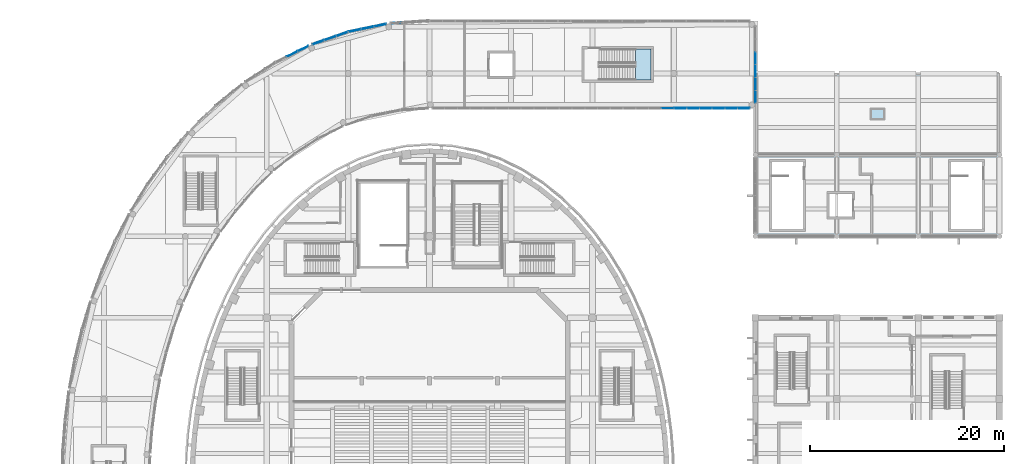
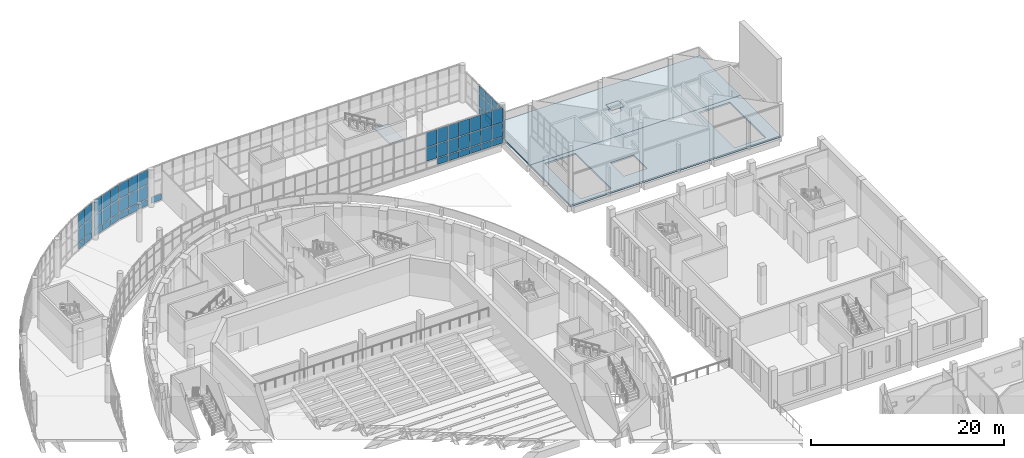
# One storey, part 54 of 119: 58 plates, 3 slabs, 1 opening, 8 elements without a shape of their own.
"""IFC4 building model written with IfcOpenShell, lengths in metres."""

from ifc_helpers import new_model, si_unit, direction, frame, origin, origin_2d, place, context, subcontext, project, spatial, polyline, rectangle, outline, extrude, material, layer, layer_set, type_object, element, fill, aggregate, save


model = new_model("IFC4")

# Units and contexts
model_context = context("Model", 3, precision=1e-05, world=origin(), true_north=direction((0.0, 1.0)))
body_context = subcontext(model_context, "Body", "Model", "MODEL_VIEW")
ifc_project = project(units=[si_unit("LENGTHUNIT", "METRE"), si_unit("AREAUNIT", "SQUARE_METRE"), si_unit("VOLUMEUNIT", "CUBIC_METRE"), si_unit("PLANEANGLEUNIT", "RADIAN"), si_unit("MASSUNIT", "GRAM", prefix="KILO")], contexts=[model_context])

# Site, building, storey
site_placement = place(None, origin())
site = spatial("IfcSite", under=ifc_project, at=site_placement, CompositionType="ELEMENT")
building_placement = place(site_placement, origin())
building = spatial("IfcBuilding", under=site, at=building_placement, Name="Larchfold Concert Hall", CompositionType="ELEMENT")
storey_placement = place(building_placement, frame((0.0, 0.0, 4.800048828125)))
storey = spatial("IfcBuildingStorey", under=building, at=storey_placement, Name="L01", CompositionType="ELEMENT", Elevation=4.800048828125)

# Curtain wall, plates
ifc_material_1 = material(Name="Anodised graphite aluminium curtain wall", Category="aluminium")
ifc_layer_1 = layer(ifc_material_1, 0.14990234375)
ifc_layer_set_1 = layer_set([ifc_layer_1], Name="Anodised graphite aluminium curtain wall")
curtain_wall_type = type_object("IfcCurtainWallType", Name="Curtain wall WG", PredefinedType="NOTDEFINED", material=ifc_layer_set_1)
curtain_wall_1_placement = place(storey_placement, origin())
curtain_wall_1 = element("IfcCurtainWall", 1, at=curtain_wall_1_placement, inside=storey, type_object=curtain_wall_type, Name="Curtain wall CW0169", PredefinedType="NOTDEFINED")
ifc_material_2 = material(Name="Insulated glazing unit, glass", Category="glass")
ifc_layer_2 = layer(ifc_material_2, 0.028076171875)
ifc_layer_set_2 = layer_set([ifc_layer_2], Name="Insulated glazing unit, glass")
plate_type_1 = type_object("IfcPlateType", Name="Glass panel 28", PredefinedType="CURTAIN_PANEL", material=ifc_layer_set_2)
plate_1_placement = place(storey_placement, frame((67.1513671875, 123.0, 0.93994140625), z_axis=(0.0, 0.0, 1.0), x_axis=(1.0, 0.0, 0.0)))
plate_1 = element("IfcPlate", 2, at=plate_1_placement, type_object=plate_type_1, Name="CW0169 panel 4.2", PredefinedType="CURTAIN_PANEL", context=body_context, shape_type="SweptSolid", body=[
    extrude(rectangle(XDim=1.25390625, YDim=0.028076171875, at=origin_2d()), origin(), (0.0, 0.0, 1.0), 1.719970703125),
])
plate_2_placement = place(storey_placement, frame((67.1513671875, 123.0, 2.740234375), z_axis=(0.0, 0.0, 1.0), x_axis=(1.0, 0.0, 0.0)))
plate_2 = element("IfcPlate", 3, at=plate_2_placement, type_object=plate_type_1, Name="CW0169 panel 4.3", PredefinedType="CURTAIN_PANEL", context=body_context, shape_type="SweptSolid", body=[
    extrude(rectangle(XDim=1.25390625, YDim=0.028076171875, at=origin_2d()), origin(), (0.0, 0.0, 1.0), 1.829833984375),
])
plate_3_placement = place(storey_placement, frame((68.4501953125, 123.0, 0.93994140625), z_axis=(0.0, 0.0, 1.0), x_axis=(1.0, 0.0, 0.0)))
plate_3 = element("IfcPlate", 4, at=plate_3_placement, type_object=plate_type_1, Name="CW0169 panel 5.2", PredefinedType="CURTAIN_PANEL", context=body_context, shape_type="SweptSolid", body=[
    extrude(rectangle(XDim=1.22412109375, YDim=0.028076171875, at=origin_2d()), origin(), (0.0, 0.0, 1.0), 1.719970703125),
])
plate_4_placement = place(storey_placement, frame((68.4501953125, 123.0, 2.740234375), z_axis=(0.0, 0.0, 1.0), x_axis=(1.0, 0.0, 0.0)))
plate_4 = element("IfcPlate", 5, at=plate_4_placement, type_object=plate_type_1, Name="CW0169 panel 5.3", PredefinedType="CURTAIN_PANEL", context=body_context, shape_type="SweptSolid", body=[
    extrude(rectangle(XDim=1.22412109375, YDim=0.028076171875, at=origin_2d()), origin(), (0.0, 0.0, 1.0), 1.829833984375),
])

curtain_wall_2_placement = place(storey_placement, origin())
curtain_wall_2 = element("IfcCurtainWall", 6, at=curtain_wall_2_placement, inside=storey, type_object=curtain_wall_type, Name="Curtain wall CW0170", PredefinedType="NOTDEFINED")
plate_5_placement = place(storey_placement, frame((69.79443359375, 123.0, 0.93994140625), z_axis=(0.0, 0.0, 1.0), x_axis=(1.0, 0.0, 0.0)))
plate_5 = element("IfcPlate", 7, at=plate_5_placement, type_object=plate_type_1, Name="CW0170 panel 1.2", PredefinedType="CURTAIN_PANEL", context=body_context, shape_type="SweptSolid", body=[
    extrude(rectangle(XDim=1.22412109375, YDim=0.028076171875, at=origin_2d()), origin(), (0.0, 0.0, 1.0), 1.719970703125),
])
plate_6_placement = place(storey_placement, frame((69.79443359375, 123.0, 2.740234375), z_axis=(0.0, 0.0, 1.0), x_axis=(1.0, 0.0, 0.0)))
plate_6 = element("IfcPlate", 8, at=plate_6_placement, type_object=plate_type_1, Name="CW0170 panel 1.3", PredefinedType="CURTAIN_PANEL", context=body_context, shape_type="SweptSolid", body=[
    extrude(rectangle(XDim=1.22412109375, YDim=0.028076171875, at=origin_2d()), origin(), (0.0, 0.0, 1.0), 1.829833984375),
])
plate_7_placement = place(storey_placement, frame((71.093505859375, 123.0, 0.93994140625), z_axis=(0.0, 0.0, 1.0), x_axis=(1.0, 0.0, 0.0)))
plate_7 = element("IfcPlate", 9, at=plate_7_placement, type_object=plate_type_1, Name="CW0170 panel 2.2", PredefinedType="CURTAIN_PANEL", context=body_context, shape_type="SweptSolid", body=[
    extrude(rectangle(XDim=1.254150390625, YDim=0.028076171875, at=origin_2d()), origin(), (0.0, 0.0, 1.0), 1.719970703125),
])
plate_8_placement = place(storey_placement, frame((71.093505859375, 123.0, 2.740234375), z_axis=(0.0, 0.0, 1.0), x_axis=(1.0, 0.0, 0.0)))
plate_8 = element("IfcPlate", 10, at=plate_8_placement, type_object=plate_type_1, Name="CW0170 panel 2.3", PredefinedType="CURTAIN_PANEL", context=body_context, shape_type="SweptSolid", body=[
    extrude(rectangle(XDim=1.254150390625, YDim=0.028076171875, at=origin_2d()), origin(), (0.0, 0.0, 1.0), 1.829833984375),
])
plate_9_placement = place(storey_placement, frame((72.407470703125, 123.0, 0.93994140625), z_axis=(0.0, 0.0, 1.0), x_axis=(1.0, 0.0, 0.0)))
plate_9 = element("IfcPlate", 11, at=plate_9_placement, type_object=plate_type_1, Name="CW0170 panel 3.2", PredefinedType="CURTAIN_PANEL", context=body_context, shape_type="SweptSolid", body=[
    extrude(rectangle(XDim=1.254150390625, YDim=0.028076171875, at=origin_2d()), origin(), (0.0, 0.0, 1.0), 1.719970703125),
])
plate_10_placement = place(storey_placement, frame((72.407470703125, 123.0, 2.740234375), z_axis=(0.0, 0.0, 1.0), x_axis=(1.0, 0.0, 0.0)))
plate_10 = element("IfcPlate", 12, at=plate_10_placement, type_object=plate_type_1, Name="CW0170 panel 3.3", PredefinedType="CURTAIN_PANEL", context=body_context, shape_type="SweptSolid", body=[
    extrude(rectangle(XDim=1.254150390625, YDim=0.028076171875, at=origin_2d()), origin(), (0.0, 0.0, 1.0), 1.829833984375),
])
plate_11_placement = place(storey_placement, frame((73.721435546875, 123.0, 0.93994140625), z_axis=(0.0, 0.0, 1.0), x_axis=(1.0, 0.0, 0.0)))
plate_11 = element("IfcPlate", 13, at=plate_11_placement, type_object=plate_type_1, Name="CW0170 panel 4.2", PredefinedType="CURTAIN_PANEL", context=body_context, shape_type="SweptSolid", body=[
    extrude(rectangle(XDim=1.254150390625, YDim=0.028076171875, at=origin_2d()), origin(), (0.0, 0.0, 1.0), 1.719970703125),
])
plate_12_placement = place(storey_placement, frame((73.721435546875, 123.0, 2.740234375), z_axis=(0.0, 0.0, 1.0), x_axis=(1.0, 0.0, 0.0)))
plate_12 = element("IfcPlate", 14, at=plate_12_placement, type_object=plate_type_1, Name="CW0170 panel 4.3", PredefinedType="CURTAIN_PANEL", context=body_context, shape_type="SweptSolid", body=[
    extrude(rectangle(XDim=1.254150390625, YDim=0.028076171875, at=origin_2d()), origin(), (0.0, 0.0, 1.0), 1.829833984375),
])
plate_13_placement = place(storey_placement, frame((75.0205078125, 123.0, 0.93994140625), z_axis=(0.0, 0.0, 1.0), x_axis=(1.0, 0.0, 0.0)))
plate_13 = element("IfcPlate", 15, at=plate_13_placement, type_object=plate_type_1, Name="CW0170 panel 5.2", PredefinedType="CURTAIN_PANEL", context=body_context, shape_type="SweptSolid", body=[
    extrude(rectangle(XDim=1.22412109375, YDim=0.028076171875, at=origin_2d()), origin(), (0.0, 0.0, 1.0), 1.719970703125),
])
plate_14_placement = place(storey_placement, frame((75.0205078125, 123.0, 2.740234375), z_axis=(0.0, 0.0, 1.0), x_axis=(1.0, 0.0, 0.0)))
plate_14 = element("IfcPlate", 16, at=plate_14_placement, type_object=plate_type_1, Name="CW0170 panel 5.3", PredefinedType="CURTAIN_PANEL", context=body_context, shape_type="SweptSolid", body=[
    extrude(rectangle(XDim=1.22412109375, YDim=0.028076171875, at=origin_2d()), origin(), (0.0, 0.0, 1.0), 1.829833984375),
])

curtain_wall_3_placement = place(storey_placement, origin())
curtain_wall_3 = element("IfcCurtainWall", 17, at=curtain_wall_3_placement, inside=storey, type_object=curtain_wall_type, Name="Curtain wall CW0171", PredefinedType="NOTDEFINED")
plate_15_placement = place(storey_placement, frame((76.199951171875, 124.1884765625, 0.93994140625), z_axis=(0.0, 0.0, 1.0), x_axis=(0.0, 1.0, 0.0)))
plate_15 = element("IfcPlate", 18, at=plate_15_placement, type_object=plate_type_1, Name="CW0171 panel 1.2", PredefinedType="CURTAIN_PANEL", context=body_context, shape_type="SweptSolid", body=[
    extrude(rectangle(XDim=1.24072265625, YDim=0.028076171875, at=origin_2d()), origin(), (0.0, 0.0, 1.0), 1.719970703125),
])
plate_16_placement = place(storey_placement, frame((76.199951171875, 124.1884765625, 2.740234375), z_axis=(0.0, 0.0, 1.0), x_axis=(0.0, 1.0, 0.0)))
plate_16 = element("IfcPlate", 19, at=plate_16_placement, type_object=plate_type_1, Name="CW0171 panel 1.3", PredefinedType="CURTAIN_PANEL", context=body_context, shape_type="SweptSolid", body=[
    extrude(rectangle(XDim=1.24072265625, YDim=0.028076171875, at=origin_2d()), origin(), (0.0, 0.0, 1.0), 0.929931640625),
])
plate_17_placement = place(storey_placement, frame((76.199951171875, 125.50390625, 0.93994140625), z_axis=(0.0, 0.0, 1.0), x_axis=(0.0, 1.0, 0.0)))
plate_17 = element("IfcPlate", 20, at=plate_17_placement, type_object=plate_type_1, Name="CW0171 panel 2.2", PredefinedType="CURTAIN_PANEL", context=body_context, shape_type="SweptSolid", body=[
    extrude(rectangle(XDim=1.270751953125, YDim=0.028076171875, at=origin_2d()), origin(), (0.0, 0.0, 1.0), 1.719970703125),
])
plate_18_placement = place(storey_placement, frame((76.199951171875, 125.50390625, 2.740234375), z_axis=(0.0, 0.0, 1.0), x_axis=(0.0, 1.0, 0.0)))
plate_18 = element("IfcPlate", 21, at=plate_18_placement, type_object=plate_type_1, Name="CW0171 panel 2.3", PredefinedType="CURTAIN_PANEL", context=body_context, shape_type="SweptSolid", body=[
    extrude(rectangle(XDim=1.270751953125, YDim=0.028076171875, at=origin_2d()), origin(), (0.0, 0.0, 1.0), 0.929931640625),
])
plate_19_placement = place(storey_placement, frame((76.199951171875, 126.834716796875, 0.93994140625), z_axis=(0.0, 0.0, 1.0), x_axis=(0.0, 1.0, 0.0)))
plate_19 = element("IfcPlate", 22, at=plate_19_placement, type_object=plate_type_1, Name="CW0171 panel 3.2", PredefinedType="CURTAIN_PANEL", context=body_context, shape_type="SweptSolid", body=[
    extrude(rectangle(XDim=1.270751953125, YDim=0.028076171875, at=origin_2d()), origin(), (0.0, 0.0, 1.0), 1.719970703125),
])
plate_20_placement = place(storey_placement, frame((76.199951171875, 126.834716796875, 2.740234375), z_axis=(0.0, 0.0, 1.0), x_axis=(0.0, 1.0, 0.0)))
plate_20 = element("IfcPlate", 23, at=plate_20_placement, type_object=plate_type_1, Name="CW0171 panel 3.3", PredefinedType="CURTAIN_PANEL", context=body_context, shape_type="SweptSolid", body=[
    extrude(rectangle(XDim=1.270751953125, YDim=0.028076171875, at=origin_2d()), origin(), (0.0, 0.0, 1.0), 0.929931640625),
])
plate_21_placement = place(storey_placement, frame((76.199951171875, 128.165283203125, 0.93994140625), z_axis=(0.0, 0.0, 1.0), x_axis=(0.0, 1.0, 0.0)))
plate_21 = element("IfcPlate", 24, at=plate_21_placement, type_object=plate_type_1, Name="CW0171 panel 4.2", PredefinedType="CURTAIN_PANEL", context=body_context, shape_type="SweptSolid", body=[
    extrude(rectangle(XDim=1.270751953125, YDim=0.028076171875, at=origin_2d()), origin(), (0.0, 0.0, 1.0), 1.719970703125),
])
plate_22_placement = place(storey_placement, frame((76.199951171875, 128.165283203125, 2.740234375), z_axis=(0.0, 0.0, 1.0), x_axis=(0.0, 1.0, 0.0)))
plate_22 = element("IfcPlate", 25, at=plate_22_placement, type_object=plate_type_1, Name="CW0171 panel 4.3", PredefinedType="CURTAIN_PANEL", context=body_context, shape_type="SweptSolid", body=[
    extrude(rectangle(XDim=1.270751953125, YDim=0.028076171875, at=origin_2d()), origin(), (0.0, 0.0, 1.0), 0.929931640625),
])

curtain_wall_4_placement = place(storey_placement, origin())
curtain_wall_4 = element("IfcCurtainWall", 26, at=curtain_wall_4_placement, inside=storey, type_object=curtain_wall_type, Name="Curtain wall CW0178", PredefinedType="NOTDEFINED")
plate_23_placement = place(storey_placement, frame((37.492919921875, 131.56201171875, 0.93994140625), z_axis=(0.0, 0.0, 1.0), x_axis=(-0.979170142133, -0.203041455757, 0.0)))
plate_23 = element("IfcPlate", 27, at=plate_23_placement, type_object=plate_type_1, Name="CW0178 panel 1.2", PredefinedType="CURTAIN_PANEL", context=body_context, shape_type="SweptSolid", body=[
    extrude(rectangle(XDim=1.255859375, YDim=0.028076171875, at=origin_2d()), origin(), (0.0, 0.0, 1.0), 1.719970703125),
])
plate_24_placement = place(storey_placement, frame((37.492919921875, 131.56201171875, 2.740234375), z_axis=(0.0, 0.0, 1.0), x_axis=(-0.979170142133, -0.203041455757, 0.0)))
plate_24 = element("IfcPlate", 28, at=plate_24_placement, type_object=plate_type_1, Name="CW0178 panel 1.3", PredefinedType="CURTAIN_PANEL", context=body_context, shape_type="SweptSolid", body=[
    extrude(rectangle(XDim=1.255859375, YDim=0.028076171875, at=origin_2d()), origin(), (0.0, 0.0, 1.0), 1.829833984375),
])
plate_25_placement = place(storey_placement, frame((36.189697265625, 131.291748046875, 0.93994140625), z_axis=(0.0, 0.0, 1.0), x_axis=(-0.979170142133, -0.203041455757, 0.0)))
plate_25 = element("IfcPlate", 29, at=plate_25_placement, type_object=plate_type_1, Name="CW0178 panel 2.2", PredefinedType="CURTAIN_PANEL", context=body_context, shape_type="SweptSolid", body=[
    extrude(rectangle(XDim=1.285888671875, YDim=0.028076171875, at=origin_2d()), origin(), (0.0, 0.0, 1.0), 1.719970703125),
])
plate_26_placement = place(storey_placement, frame((36.189697265625, 131.291748046875, 2.740234375), z_axis=(0.0, 0.0, 1.0), x_axis=(-0.979170142133, -0.203041455757, 0.0)))
plate_26 = element("IfcPlate", 30, at=plate_26_placement, type_object=plate_type_1, Name="CW0178 panel 2.3", PredefinedType="CURTAIN_PANEL", context=body_context, shape_type="SweptSolid", body=[
    extrude(rectangle(XDim=1.285888671875, YDim=0.028076171875, at=origin_2d()), origin(), (0.0, 0.0, 1.0), 1.829833984375),
])
plate_27_placement = place(storey_placement, frame((34.886474609375, 131.021484375, 0.93994140625), z_axis=(0.0, 0.0, 1.0), x_axis=(-0.979170142133, -0.203041455757, 0.0)))
plate_27 = element("IfcPlate", 31, at=plate_27_placement, type_object=plate_type_1, Name="CW0178 panel 3.2", PredefinedType="CURTAIN_PANEL", context=body_context, shape_type="SweptSolid", body=[
    extrude(rectangle(XDim=1.255859375, YDim=0.028076171875, at=origin_2d()), origin(), (0.0, 0.0, 1.0), 1.719970703125),
])
plate_28_placement = place(storey_placement, frame((34.886474609375, 131.021484375, 2.740234375), z_axis=(0.0, 0.0, 1.0), x_axis=(-0.979170142133, -0.203041455757, 0.0)))
plate_28 = element("IfcPlate", 32, at=plate_28_placement, type_object=plate_type_1, Name="CW0178 panel 3.3", PredefinedType="CURTAIN_PANEL", context=body_context, shape_type="SweptSolid", body=[
    extrude(rectangle(XDim=1.255859375, YDim=0.028076171875, at=origin_2d()), origin(), (0.0, 0.0, 1.0), 1.829833984375),
])

curtain_wall_5_placement = place(storey_placement, origin())
curtain_wall_5 = element("IfcCurtainWall", 33, at=curtain_wall_5_placement, inside=storey, type_object=curtain_wall_type, Name="Curtain wall CW0179", PredefinedType="NOTDEFINED")
plate_29_placement = place(storey_placement, frame((33.575927734375, 130.659912109375, 0.93994140625), z_axis=(0.0, 0.0, 1.0), x_axis=(-0.944365190169, -0.328898749766, 0.0)))
plate_29 = element("IfcPlate", 34, at=plate_29_placement, type_object=plate_type_1, Name="CW0179 panel 1.2", PredefinedType="CURTAIN_PANEL", context=body_context, shape_type="SweptSolid", body=[
    extrude(rectangle(XDim=1.228759765625, YDim=0.028076171875, at=origin_2d()), origin(), (0.0, 0.0, 1.0), 1.719970703125),
])
plate_30_placement = place(storey_placement, frame((33.575927734375, 130.659912109375, 2.740234375), z_axis=(0.0, 0.0, 1.0), x_axis=(-0.944365190169, -0.328898749766, 0.0)))
plate_30 = element("IfcPlate", 35, at=plate_30_placement, type_object=plate_type_1, Name="CW0179 panel 1.3", PredefinedType="CURTAIN_PANEL", context=body_context, shape_type="SweptSolid", body=[
    extrude(rectangle(XDim=1.228759765625, YDim=0.028076171875, at=origin_2d()), origin(), (0.0, 0.0, 1.0), 1.829833984375),
])
plate_31_placement = place(storey_placement, frame((32.3447265625, 130.231201171875, 0.93994140625), z_axis=(0.0, 0.0, 1.0), x_axis=(-0.944365190169, -0.328898749766, 0.0)))
plate_31 = element("IfcPlate", 36, at=plate_31_placement, type_object=plate_type_1, Name="CW0179 panel 2.2", PredefinedType="CURTAIN_PANEL", context=body_context, shape_type="SweptSolid", body=[
    extrude(rectangle(XDim=1.2587890625, YDim=0.028076171875, at=origin_2d()), origin(), (0.0, 0.0, 1.0), 1.719970703125),
])
plate_32_placement = place(storey_placement, frame((32.3447265625, 130.231201171875, 2.740234375), z_axis=(0.0, 0.0, 1.0), x_axis=(-0.944365190169, -0.328898749766, 0.0)))
plate_32 = element("IfcPlate", 37, at=plate_32_placement, type_object=plate_type_1, Name="CW0179 panel 2.3", PredefinedType="CURTAIN_PANEL", context=body_context, shape_type="SweptSolid", body=[
    extrude(rectangle(XDim=1.2587890625, YDim=0.028076171875, at=origin_2d()), origin(), (0.0, 0.0, 1.0), 1.829833984375),
])
plate_33_placement = place(storey_placement, frame((31.113525390625, 129.802490234375, 0.93994140625), z_axis=(0.0, 0.0, 1.0), x_axis=(-0.944365190169, -0.328898749766, 0.0)))
plate_33 = element("IfcPlate", 38, at=plate_33_placement, type_object=plate_type_1, Name="CW0179 panel 3.2", PredefinedType="CURTAIN_PANEL", context=body_context, shape_type="SweptSolid", body=[
    extrude(rectangle(XDim=1.228759765625, YDim=0.028076171875, at=origin_2d()), origin(), (0.0, 0.0, 1.0), 1.719970703125),
])
plate_34_placement = place(storey_placement, frame((31.113525390625, 129.802490234375, 2.740234375), z_axis=(0.0, 0.0, 1.0), x_axis=(-0.944365190169, -0.328898749766, 0.0)))
plate_34 = element("IfcPlate", 39, at=plate_34_placement, type_object=plate_type_1, Name="CW0179 panel 3.3", PredefinedType="CURTAIN_PANEL", context=body_context, shape_type="SweptSolid", body=[
    extrude(rectangle(XDim=1.228759765625, YDim=0.028076171875, at=origin_2d()), origin(), (0.0, 0.0, 1.0), 1.829833984375),
])

curtain_wall_6_placement = place(storey_placement, origin())
curtain_wall_6 = element("IfcCurtainWall", 40, at=curtain_wall_6_placement, inside=storey, type_object=curtain_wall_type, Name="Curtain wall CW0180", PredefinedType="NOTDEFINED")
plate_35_placement = place(storey_placement, frame((29.558837890625, 129.15234375, 0.93994140625), z_axis=(0.0, 0.0, 1.0), x_axis=(-0.896826030069, -0.44238339909, 0.0)))
plate_35 = element("IfcPlate", 41, at=plate_35_placement, type_object=plate_type_1, Name="CW0180 panel 1.2", PredefinedType="CURTAIN_PANEL", context=body_context, shape_type="SweptSolid", body=[
    extrude(rectangle(XDim=1.192138671875, YDim=0.028076171875, at=origin_2d()), origin(), (0.0, 0.0, 1.0), 1.719970703125),
])
plate_36_placement = place(storey_placement, frame((29.558837890625, 129.15234375, 2.740234375), z_axis=(0.0, 0.0, 1.0), x_axis=(-0.896826030069, -0.44238339909, 0.0)))
plate_36 = element("IfcPlate", 42, at=plate_36_placement, type_object=plate_type_1, Name="CW0180 panel 1.3", PredefinedType="CURTAIN_PANEL", context=body_context, shape_type="SweptSolid", body=[
    extrude(rectangle(XDim=1.192138671875, YDim=0.028076171875, at=origin_2d()), origin(), (0.0, 0.0, 1.0), 1.829833984375),
])
plate_37_placement = place(storey_placement, frame((28.42236328125, 128.591796875, 0.93994140625), z_axis=(0.0, 0.0, 1.0), x_axis=(-0.896826030069, -0.44238339909, 0.0)))
plate_37 = element("IfcPlate", 43, at=plate_37_placement, type_object=plate_type_1, Name="CW0180 panel 2.2", PredefinedType="CURTAIN_PANEL", context=body_context, shape_type="SweptSolid", body=[
    extrude(rectangle(XDim=1.22216796875, YDim=0.028076171875, at=origin_2d()), origin(), (0.0, 0.0, 1.0), 1.719970703125),
])
plate_38_placement = place(storey_placement, frame((28.42236328125, 128.591796875, 2.740234375), z_axis=(0.0, 0.0, 1.0), x_axis=(-0.896826030069, -0.44238339909, 0.0)))
plate_38 = element("IfcPlate", 44, at=plate_38_placement, type_object=plate_type_1, Name="CW0180 panel 2.3", PredefinedType="CURTAIN_PANEL", context=body_context, shape_type="SweptSolid", body=[
    extrude(rectangle(XDim=1.22216796875, YDim=0.028076171875, at=origin_2d()), origin(), (0.0, 0.0, 1.0), 1.829833984375),
])

# Plate
ifc_material_3 = material(Name="White insulated panel")
ifc_layer_3 = layer(ifc_material_3, 0.06005859375)
ifc_layer_set_3 = layer_set([ifc_layer_3], Name="White insulated panel")
plate_type_2 = type_object("IfcPlateType", Name="Insulated spandrel panel 60", PredefinedType="CURTAIN_PANEL", material=ifc_layer_set_3)
plate_39_placement = place(storey_placement, frame((68.4501953125, 123.0, 0.080078125), z_axis=(0.0, 0.0, 1.0), x_axis=(1.0, 0.0, 0.0)))
plate_39 = element("IfcPlate", 45, at=plate_39_placement, type_object=plate_type_2, Name="CW0169 panel 5.1", PredefinedType="CURTAIN_PANEL", context=body_context, shape_type="SweptSolid", body=[
    extrude(rectangle(XDim=1.22412109375, YDim=0.06005859375, at=origin_2d()), origin(), (0.0, 0.0, 1.0), 0.77978515625),
])

aggregate(curtain_wall_1, [plate_1, plate_2, plate_39, plate_3, plate_4])

plate_40_placement = place(storey_placement, frame((69.79443359375, 123.0, 0.080078125), z_axis=(0.0, 0.0, 1.0), x_axis=(1.0, 0.0, 0.0)))
plate_40 = element("IfcPlate", 46, at=plate_40_placement, type_object=plate_type_2, Name="CW0170 panel 1.1", PredefinedType="CURTAIN_PANEL", context=body_context, shape_type="SweptSolid", body=[
    extrude(rectangle(XDim=1.22412109375, YDim=0.06005859375, at=origin_2d()), origin(), (0.0, 0.0, 1.0), 0.77978515625),
])

plate_41_placement = place(storey_placement, frame((71.093505859375, 123.0, 0.080078125), z_axis=(0.0, 0.0, 1.0), x_axis=(1.0, 0.0, 0.0)))
plate_41 = element("IfcPlate", 47, at=plate_41_placement, type_object=plate_type_2, Name="CW0170 panel 2.1", PredefinedType="CURTAIN_PANEL", context=body_context, shape_type="SweptSolid", body=[
    extrude(rectangle(XDim=1.254150390625, YDim=0.06005859375, at=origin_2d()), origin(), (0.0, 0.0, 1.0), 0.77978515625),
])

plate_42_placement = place(storey_placement, frame((72.407470703125, 123.0, 0.080078125), z_axis=(0.0, 0.0, 1.0), x_axis=(1.0, 0.0, 0.0)))
plate_42 = element("IfcPlate", 48, at=plate_42_placement, type_object=plate_type_2, Name="CW0170 panel 3.1", PredefinedType="CURTAIN_PANEL", context=body_context, shape_type="SweptSolid", body=[
    extrude(rectangle(XDim=1.254150390625, YDim=0.06005859375, at=origin_2d()), origin(), (0.0, 0.0, 1.0), 0.77978515625),
])

plate_43_placement = place(storey_placement, frame((73.721435546875, 123.0, 0.080078125), z_axis=(0.0, 0.0, 1.0), x_axis=(1.0, 0.0, 0.0)))
plate_43 = element("IfcPlate", 49, at=plate_43_placement, type_object=plate_type_2, Name="CW0170 panel 4.1", PredefinedType="CURTAIN_PANEL", context=body_context, shape_type="SweptSolid", body=[
    extrude(rectangle(XDim=1.254150390625, YDim=0.06005859375, at=origin_2d()), origin(), (0.0, 0.0, 1.0), 0.77978515625),
])

plate_44_placement = place(storey_placement, frame((75.0205078125, 123.0, 0.080078125), z_axis=(0.0, 0.0, 1.0), x_axis=(1.0, 0.0, 0.0)))
plate_44 = element("IfcPlate", 50, at=plate_44_placement, type_object=plate_type_2, Name="CW0170 panel 5.1", PredefinedType="CURTAIN_PANEL", context=body_context, shape_type="SweptSolid", body=[
    extrude(rectangle(XDim=1.22412109375, YDim=0.06005859375, at=origin_2d()), origin(), (0.0, 0.0, 1.0), 0.77978515625),
])

aggregate(curtain_wall_2, [plate_40, plate_5, plate_6, plate_41, plate_7, plate_8, plate_42, plate_9, plate_10, plate_43, plate_11, plate_12, plate_44, plate_13, plate_14])

plate_45_placement = place(storey_placement, frame((76.199951171875, 124.1884765625, 0.080078125), z_axis=(0.0, 0.0, 1.0), x_axis=(0.0, 1.0, 0.0)))
plate_45 = element("IfcPlate", 51, at=plate_45_placement, type_object=plate_type_2, Name="CW0171 panel 1.1", PredefinedType="CURTAIN_PANEL", context=body_context, shape_type="SweptSolid", body=[
    extrude(rectangle(XDim=1.24072265625, YDim=0.06005859375, at=origin_2d()), origin(), (0.0, 0.0, 1.0), 0.77978515625),
])

plate_46_placement = place(storey_placement, frame((76.199951171875, 125.50390625, 0.080078125), z_axis=(0.0, 0.0, 1.0), x_axis=(0.0, 1.0, 0.0)))
plate_46 = element("IfcPlate", 52, at=plate_46_placement, type_object=plate_type_2, Name="CW0171 panel 2.1", PredefinedType="CURTAIN_PANEL", context=body_context, shape_type="SweptSolid", body=[
    extrude(rectangle(XDim=1.270751953125, YDim=0.06005859375, at=origin_2d()), origin(), (0.0, 0.0, 1.0), 0.77978515625),
])

plate_47_placement = place(storey_placement, frame((76.199951171875, 126.834716796875, 0.080078125), z_axis=(0.0, 0.0, 1.0), x_axis=(0.0, 1.0, 0.0)))
plate_47 = element("IfcPlate", 53, at=plate_47_placement, type_object=plate_type_2, Name="CW0171 panel 3.1", PredefinedType="CURTAIN_PANEL", context=body_context, shape_type="SweptSolid", body=[
    extrude(rectangle(XDim=1.270751953125, YDim=0.06005859375, at=origin_2d()), origin(), (0.0, 0.0, 1.0), 0.77978515625),
])

plate_48_placement = place(storey_placement, frame((76.199951171875, 128.165283203125, 0.080078125), z_axis=(0.0, 0.0, 1.0), x_axis=(0.0, 1.0, 0.0)))
plate_48 = element("IfcPlate", 54, at=plate_48_placement, type_object=plate_type_2, Name="CW0171 panel 4.1", PredefinedType="CURTAIN_PANEL", context=body_context, shape_type="SweptSolid", body=[
    extrude(rectangle(XDim=1.270751953125, YDim=0.06005859375, at=origin_2d()), origin(), (0.0, 0.0, 1.0), 0.77978515625),
])

aggregate(curtain_wall_3, [plate_45, plate_15, plate_16, plate_46, plate_17, plate_18, plate_47, plate_19, plate_20, plate_48, plate_21, plate_22])

# Curtain wall, plate
curtain_wall_7_placement = place(storey_placement, origin())
curtain_wall_7 = element("IfcCurtainWall", 55, at=curtain_wall_7_placement, inside=storey, type_object=curtain_wall_type, Name="Curtain wall CW0177", PredefinedType="NOTDEFINED")
plate_49_placement = place(storey_placement, frame((39.219970703125, 131.798828125, 0.080078125), z_axis=(0.0, 0.0, 1.0), x_axis=(-0.997629903911, -0.068808246767, 0.0)))
plate_49 = element("IfcPlate", 56, at=plate_49_placement, type_object=plate_type_2, Name="CW0177 panel 3.1", PredefinedType="CURTAIN_PANEL", context=body_context, shape_type="SweptSolid", body=[
    extrude(rectangle(XDim=1.271240234375, YDim=0.06005859375, at=origin_2d()), origin(), (0.0, 0.0, 1.0), 0.77978515625),
])
aggregate(curtain_wall_7, [plate_49])

# Plate
plate_50_placement = place(storey_placement, frame((37.492919921875, 131.56201171875, 0.080078125), z_axis=(0.0, 0.0, 1.0), x_axis=(-0.979170142133, -0.203041455757, 0.0)))
plate_50 = element("IfcPlate", 57, at=plate_50_placement, type_object=plate_type_2, Name="CW0178 panel 1.1", PredefinedType="CURTAIN_PANEL", context=body_context, shape_type="SweptSolid", body=[
    extrude(rectangle(XDim=1.255859375, YDim=0.06005859375, at=origin_2d()), origin(), (0.0, 0.0, 1.0), 0.77978515625),
])

plate_51_placement = place(storey_placement, frame((36.189697265625, 131.291748046875, 0.080078125), z_axis=(0.0, 0.0, 1.0), x_axis=(-0.979170142133, -0.203041455757, 0.0)))
plate_51 = element("IfcPlate", 58, at=plate_51_placement, type_object=plate_type_2, Name="CW0178 panel 2.1", PredefinedType="CURTAIN_PANEL", context=body_context, shape_type="SweptSolid", body=[
    extrude(rectangle(XDim=1.285888671875, YDim=0.06005859375, at=origin_2d()), origin(), (0.0, 0.0, 1.0), 0.77978515625),
])

plate_52_placement = place(storey_placement, frame((34.886474609375, 131.021484375, 0.080078125), z_axis=(0.0, 0.0, 1.0), x_axis=(-0.979170142133, -0.203041455757, 0.0)))
plate_52 = element("IfcPlate", 59, at=plate_52_placement, type_object=plate_type_2, Name="CW0178 panel 3.1", PredefinedType="CURTAIN_PANEL", context=body_context, shape_type="SweptSolid", body=[
    extrude(rectangle(XDim=1.255859375, YDim=0.06005859375, at=origin_2d()), origin(), (0.0, 0.0, 1.0), 0.77978515625),
])

aggregate(curtain_wall_4, [plate_50, plate_23, plate_24, plate_51, plate_25, plate_26, plate_52, plate_27, plate_28])

plate_53_placement = place(storey_placement, frame((33.575927734375, 130.659912109375, 0.080078125), z_axis=(0.0, 0.0, 1.0), x_axis=(-0.944365190169, -0.328898749766, 0.0)))
plate_53 = element("IfcPlate", 60, at=plate_53_placement, type_object=plate_type_2, Name="CW0179 panel 1.1", PredefinedType="CURTAIN_PANEL", context=body_context, shape_type="SweptSolid", body=[
    extrude(rectangle(XDim=1.228759765625, YDim=0.06005859375, at=origin_2d()), origin(), (0.0, 0.0, 1.0), 0.77978515625),
])

plate_54_placement = place(storey_placement, frame((32.3447265625, 130.231201171875, 0.080078125), z_axis=(0.0, 0.0, 1.0), x_axis=(-0.944365190169, -0.328898749766, 0.0)))
plate_54 = element("IfcPlate", 61, at=plate_54_placement, type_object=plate_type_2, Name="CW0179 panel 2.1", PredefinedType="CURTAIN_PANEL", context=body_context, shape_type="SweptSolid", body=[
    extrude(rectangle(XDim=1.2587890625, YDim=0.06005859375, at=origin_2d()), origin(), (0.0, 0.0, 1.0), 0.77978515625),
])

plate_55_placement = place(storey_placement, frame((31.113525390625, 129.802490234375, 0.080078125), z_axis=(0.0, 0.0, 1.0), x_axis=(-0.944365190169, -0.328898749766, 0.0)))
plate_55 = element("IfcPlate", 62, at=plate_55_placement, type_object=plate_type_2, Name="CW0179 panel 3.1", PredefinedType="CURTAIN_PANEL", context=body_context, shape_type="SweptSolid", body=[
    extrude(rectangle(XDim=1.228759765625, YDim=0.06005859375, at=origin_2d()), origin(), (0.0, 0.0, 1.0), 0.77978515625),
])

aggregate(curtain_wall_5, [plate_53, plate_29, plate_30, plate_54, plate_31, plate_32, plate_55, plate_33, plate_34])

plate_56_placement = place(storey_placement, frame((29.558837890625, 129.15234375, 0.080078125), z_axis=(0.0, 0.0, 1.0), x_axis=(-0.896826030069, -0.44238339909, 0.0)))
plate_56 = element("IfcPlate", 63, at=plate_56_placement, type_object=plate_type_2, Name="CW0180 panel 1.1", PredefinedType="CURTAIN_PANEL", context=body_context, shape_type="SweptSolid", body=[
    extrude(rectangle(XDim=1.192138671875, YDim=0.06005859375, at=origin_2d()), origin(), (0.0, 0.0, 1.0), 0.77978515625),
])

plate_57_placement = place(storey_placement, frame((28.42236328125, 128.591796875, 0.080078125), z_axis=(0.0, 0.0, 1.0), x_axis=(-0.896826030069, -0.44238339909, 0.0)))
plate_57 = element("IfcPlate", 64, at=plate_57_placement, type_object=plate_type_2, Name="CW0180 panel 2.1", PredefinedType="CURTAIN_PANEL", context=body_context, shape_type="SweptSolid", body=[
    extrude(rectangle(XDim=1.22216796875, YDim=0.06005859375, at=origin_2d()), origin(), (0.0, 0.0, 1.0), 0.77978515625),
])

aggregate(curtain_wall_6, [plate_56, plate_35, plate_36, plate_57, plate_37, plate_38])

# Slab
ifc_material_4 = material(Name="Concrete C35/45", Category="concrete")
ifc_layer_4 = layer(ifc_material_4, 0.199951171875)
ifc_layer_set_4 = layer_set([ifc_layer_4], Name="Concrete C35/45")
slab_type_1 = type_object("IfcSlabType", Name="Slab 200", PredefinedType="FLOOR", material=ifc_layer_set_4)
slab_1_placement = place(storey_placement, frame((0.0, 0.0, -0.2001953125)))
element("IfcSlab", 65, at=slab_1_placement, inside=storey, type_object=slab_type_1, Name="Slab S0005", PredefinedType="FLOOR", context=body_context, shape_type="SweptSolid", body=[
    extrude(outline(polyline([(76.199951171875, 118.2099609375), (76.199951171875, 109.800048828125), (101.39990234375, 109.800048828125), (101.39990234375, 118.2099609375), (76.199951171875, 118.2099609375)]), holes=[polyline([(86.39990234375, 114.39990234375), (86.39990234375, 111.60009765625), (83.60009765625, 111.60009765625), (83.60009765625, 114.39990234375), (86.39990234375, 114.39990234375)]), polyline([(81.35009765625, 110.300048828125), (77.64990234375, 110.300048828125), (77.64990234375, 117.699951171875), (81.35009765625, 117.699951171875), (81.35009765625, 110.300048828125)]), polyline([(99.85009765625, 110.300048828125), (96.14990234375, 110.300048828125), (96.14990234375, 117.699951171875), (99.85009765625, 117.699951171875), (99.85009765625, 110.300048828125)])]), origin(), (0.0, 0.0, 1.0), 0.2001953125),
])

# Slab, opening, plate
ifc_material_5 = material(Name="Concrete C35/45", Category="concrete")
ifc_layer_5 = layer(ifc_material_5, 0.199951171875)
ifc_layer_set_5 = layer_set([ifc_layer_5], Name="Concrete C35/45")
slab_type_2 = type_object("IfcSlabType", Name="Slab 200 external", PredefinedType="ROOF", material=ifc_layer_set_5)
slab_2_placement = place(storey_placement, frame((0.0, 0.0, -0.2001953125)))
slab_2 = element("IfcSlab", 66, at=slab_2_placement, inside=storey, type_object=slab_type_2, Name="Slab S0004", PredefinedType="ROOF", context=body_context, shape_type="SweptSolid", body=[
    extrude(outline(polyline([(76.199951171875, 126.60009765625), (76.199951171875, 118.2099609375), (101.39990234375, 118.2099609375), (101.39990234375, 126.60009765625), (76.199951171875, 126.60009765625)])), origin(), (0.0, 0.0, 1.0), 0.2001953125),
])
opening_placement = place(storey_placement, frame((0.0, 0.0, -0.210205078125)))
opening = element("IfcOpeningElement", 67, at=opening_placement, cuts=slab_2, Name="Opening RH07", PredefinedType="OPENING", context=body_context, shape_type="SweptSolid", body=[
    extrude(outline(polyline([(89.400146484375, 121.9599609375), (89.400146484375, 122.85986328125), (88.199951171875, 122.85986328125), (88.199951171875, 121.9599609375), (89.400146484375, 121.9599609375)])), origin(), (0.0, 0.0, 1.0), 0.22021484375),
])
ifc_material_6 = material(Name="Insulated steel hatch lid", Category="steel")
ifc_layer_6 = layer(ifc_material_6, 0.06005859375)
ifc_layer_set_6 = layer_set([ifc_layer_6], Name="Insulated steel hatch lid")
plate_type_3 = type_object("IfcPlateType", Name="Roof hatch lid 60", PredefinedType="SHEET", material=ifc_layer_set_6)
plate_58_placement = place(storey_placement, frame((88.800048828125, 122.409912109375, 0.5), z_axis=(0.0, 0.0, 1.0), x_axis=(1.0, 0.0, 0.0)))
plate_58 = element("IfcPlate", 68, at=plate_58_placement, inside=storey, type_object=plate_type_3, Name="Roof hatch lid RH07", PredefinedType="SHEET", context=body_context, shape_type="SweptSolid", body=[
    extrude(rectangle(XDim=1.5, YDim=1.199951171875, at=origin_2d()), origin(), (0.0, 0.0, 1.0), 0.06005859375),
])
fill(opening, plate_58)

# Stair, slab
ifc_material_7 = material(Name="Concrete C35/45", Category="concrete")
stair_type = type_object("IfcStairType", Name="Stair RC half-turn enclosed", PredefinedType="HALF_TURN_STAIR", material=ifc_material_7)
stair_placement = place(storey_placement, origin())
stair = element("IfcStair", 69, at=stair_placement, inside=storey, type_object=stair_type, Name="Stair WG4", PredefinedType="HALF_TURN_STAIR")
ifc_material_8 = material(Name="Concrete C35/45", Category="concrete")
ifc_layer_7 = layer(ifc_material_8, 0.199951171875)
ifc_layer_set_7 = layer_set([ifc_layer_7], Name="Concrete C35/45")
slab_type_3 = type_object("IfcSlabType", Name="Stair landing RC 200", PredefinedType="LANDING", material=ifc_layer_set_7)
slab_3_placement = place(storey_placement, frame((0.0, 0.0, 2.199951171875)))
slab_3 = element("IfcSlab", 70, at=slab_3_placement, type_object=slab_type_3, Name="ST26 landing 1", PredefinedType="LANDING", context=body_context, shape_type="SweptSolid", body=[
    extrude(outline(polyline([(63.830078125, 125.89990234375), (65.449951171875, 125.89990234375), (65.449951171875, 129.099853515625), (63.830078125, 129.099853515625), (63.830078125, 125.89990234375)])), origin(), (0.0, 0.0, 1.0), 0.199951171875),
])
aggregate(stair, [slab_3])

save(model, "model.ifc")
